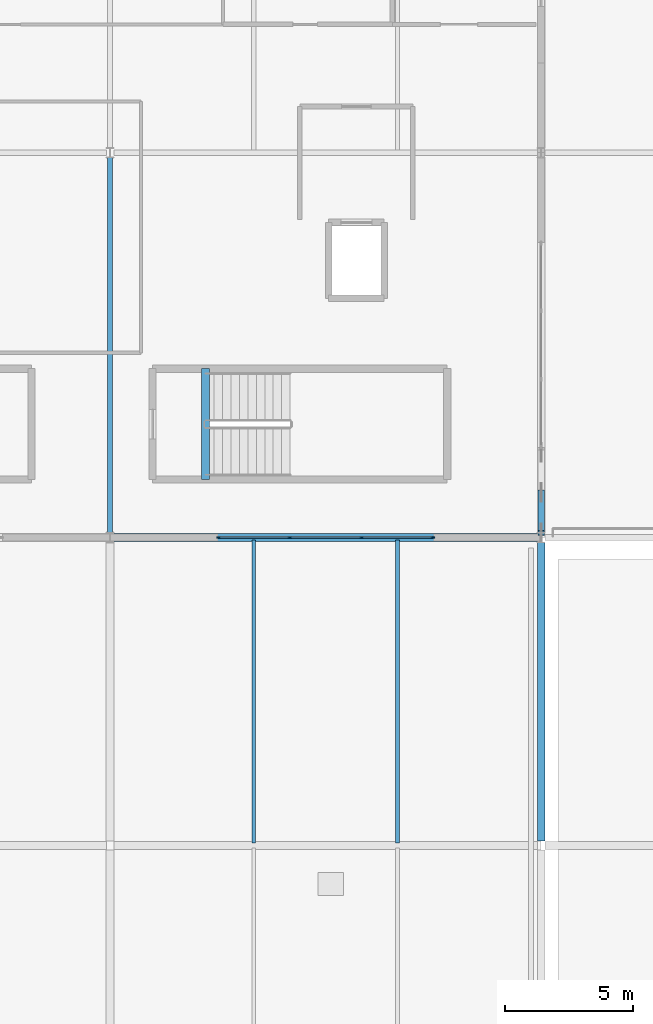
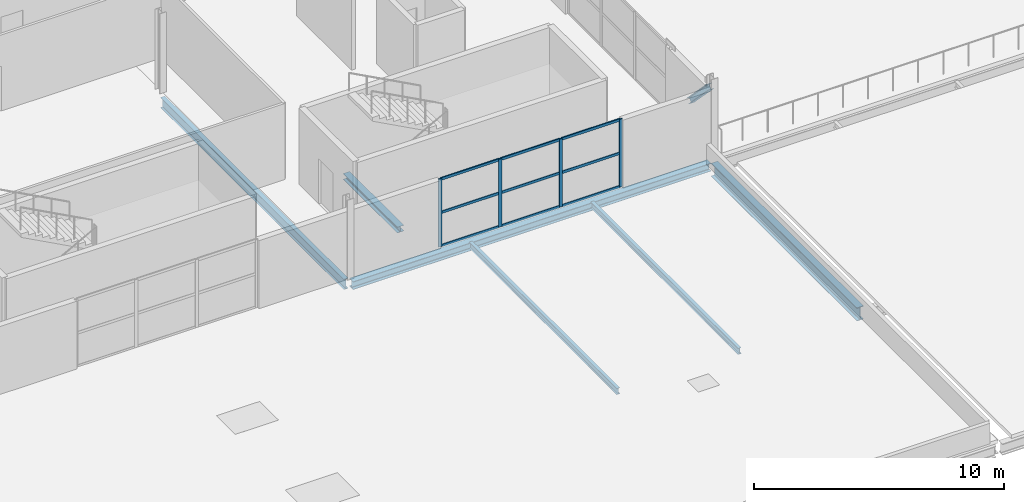
# One storey, part 20 of 36: 14 members, 6 beams, 1 element without a shape of its own.
"""IFC4 building model written with IfcOpenShell, lengths in metres."""

from ifc_helpers import new_model, si_unit, direction, frame, origin, origin_2d, place, context, subcontext, project, spatial, rectangle, i_section, extrude, material, material_profile, profile_set, type_object, element, aggregate, save


model = new_model("IFC4")

# Units and contexts
model_context = context("Model", 3, precision=1e-05, world=origin(), true_north=direction((0.0, 1.0)))
body_context = subcontext(model_context, "Body", "Model", "MODEL_VIEW")
ifc_project = project(units=[si_unit("LENGTHUNIT", "METRE"), si_unit("AREAUNIT", "SQUARE_METRE"), si_unit("VOLUMEUNIT", "CUBIC_METRE"), si_unit("PLANEANGLEUNIT", "RADIAN"), si_unit("MASSUNIT", "GRAM", prefix="KILO")], contexts=[model_context])

# Site, building, storey
site_placement = place(None, origin())
site = spatial("IfcSite", under=ifc_project, at=site_placement, CompositionType="ELEMENT")
building_placement = place(site_placement, origin())
building = spatial("IfcBuilding", under=site, at=building_placement, Name="Kimbaza Rail Terminus", CompositionType="ELEMENT")
storey_placement = place(building_placement, frame((0.0, 0.0, 21.0)))
storey = spatial("IfcBuildingStorey", under=building, at=storey_placement, Name="L04", CompositionType="ELEMENT", Elevation=21.0)

# Curtain wall, members
ifc_material_1 = material(Name="Anodised aluminium framing and solar low-E glazing", Category="aluminium")
curtain_wall_type = type_object("IfcCurtainWallType", Name="ARC-CW-OP2", PredefinedType="USERDEFINED", material=ifc_material_1)
curtain_wall_placement = place(storey_placement, origin())
curtain_wall = element("IfcCurtainWall", 1, at=curtain_wall_placement, inside=storey, type_object=curtain_wall_type, Name="Operations South Curtain Wall L04 Bay 5", ObjectType="STICK CURTAIN WALL", PredefinedType="USERDEFINED")
ifc_material_2 = material(Name="Anodised architectural aluminium", Category="aluminium")
ifc_material_profile_1 = material_profile(ifc_material_2, rectangle(XDim=0.05810546875, YDim=0.14990234375, at=origin_2d()), Name="MULLION 58x150")
ifc_profile_set_1 = profile_set([ifc_material_profile_1], Name="Anodised architectural aluminium")
member_type_1 = type_object("IfcMemberType", Name="ARC-CWM-06", PredefinedType="MULLION", material=ifc_profile_set_1)
member_1_placement = place(storey_placement, frame((126.62890625, 103.0, 0.0), z_axis=(0.0, 0.0, 1.0), x_axis=(0.0, 1.0, 0.0)))
member_1 = element("IfcMember", 2, at=member_1_placement, type_object=member_type_1, Name="CW-06 mullion 1", PredefinedType="MULLION", context=body_context, shape_type="SweptSolid", body=[
    extrude(rectangle(XDim=0.05810546875, YDim=0.14990234375, at=origin_2d()), origin(), (0.0, 0.0, 1.0), 3.31494140625),
])
member_2_placement = place(storey_placement, frame((129.39990234375, 103.0, 0.0), z_axis=(0.0, 0.0, 1.0), x_axis=(0.0, 1.0, 0.0)))
member_2 = element("IfcMember", 3, at=member_2_placement, type_object=member_type_1, Name="CW-06 mullion 2", PredefinedType="MULLION", context=body_context, shape_type="SweptSolid", body=[
    extrude(rectangle(XDim=0.05810546875, YDim=0.14990234375, at=origin_2d()), origin(), (0.0, 0.0, 1.0), 3.31494140625),
])
member_3_placement = place(storey_placement, frame((132.199951171875, 103.0, 0.0), z_axis=(0.0, 0.0, 1.0), x_axis=(0.0, 1.0, 0.0)))
member_3 = element("IfcMember", 4, at=member_3_placement, type_object=member_type_1, Name="CW-06 mullion 3", PredefinedType="MULLION", context=body_context, shape_type="SweptSolid", body=[
    extrude(rectangle(XDim=0.05810546875, YDim=0.14990234375, at=origin_2d()), origin(), (0.0, 0.0, 1.0), 3.31494140625),
])
member_4_placement = place(storey_placement, frame((134.970947265625, 103.0, 0.0), z_axis=(0.0, 0.0, 1.0), x_axis=(0.0, 1.0, 0.0)))
member_4 = element("IfcMember", 5, at=member_4_placement, type_object=member_type_1, Name="CW-06 mullion 4", PredefinedType="MULLION", context=body_context, shape_type="SweptSolid", body=[
    extrude(rectangle(XDim=0.05810546875, YDim=0.14990234375, at=origin_2d()), origin(), (0.0, 0.0, 1.0), 3.31494140625),
])
ifc_material_3 = material(Name="Anodised architectural aluminium", Category="aluminium")
ifc_material_profile_2 = material_profile(ifc_material_3, rectangle(XDim=0.05810546875, YDim=0.125, at=origin_2d()), Name="TRANSOM 58x125")
ifc_profile_set_2 = profile_set([ifc_material_profile_2], Name="Anodised architectural aluminium")
member_type_2 = type_object("IfcMemberType", Name="ARC-CWT-06", PredefinedType="USERDEFINED", material=ifc_profile_set_2)
member_5_placement = place(storey_placement, frame((126.657958984375, 103.0, 0.029052734375), z_axis=(1.0, 0.0, 0.0), x_axis=(0.0, 1.0, 0.0)))
member_5 = element("IfcMember", 6, at=member_5_placement, type_object=member_type_2, Name="CW-06 transom 1.1", ObjectType="TRANSOM", PredefinedType="USERDEFINED", context=body_context, shape_type="SweptSolid", body=[
    extrude(rectangle(XDim=0.05810546875, YDim=0.125, at=origin_2d()), origin(), (0.0, 0.0, 1.0), 2.713134765625),
])
member_6_placement = place(storey_placement, frame((126.657958984375, 103.0, 1.657470703125), z_axis=(1.0, 0.0, 0.0), x_axis=(0.0, 1.0, 0.0)))
member_6 = element("IfcMember", 7, at=member_6_placement, type_object=member_type_2, Name="CW-06 transom 1.2", ObjectType="TRANSOM", PredefinedType="USERDEFINED", context=body_context, shape_type="SweptSolid", body=[
    extrude(rectangle(XDim=0.05810546875, YDim=0.125, at=origin_2d()), origin(), (0.0, 0.0, 1.0), 2.713134765625),
])
member_7_placement = place(storey_placement, frame((126.657958984375, 103.0, 3.285888671875), z_axis=(1.0, 0.0, 0.0), x_axis=(0.0, 1.0, 0.0)))
member_7 = element("IfcMember", 8, at=member_7_placement, type_object=member_type_2, Name="CW-06 transom 1.3", ObjectType="TRANSOM", PredefinedType="USERDEFINED", context=body_context, shape_type="SweptSolid", body=[
    extrude(rectangle(XDim=0.05810546875, YDim=0.125, at=origin_2d()), origin(), (0.0, 0.0, 1.0), 2.713134765625),
])
member_8_placement = place(storey_placement, frame((129.428955078125, 103.0, 0.029052734375), z_axis=(1.0, 0.0, 0.0), x_axis=(0.0, 1.0, 0.0)))
member_8 = element("IfcMember", 9, at=member_8_placement, type_object=member_type_2, Name="CW-06 transom 2.1", ObjectType="TRANSOM", PredefinedType="USERDEFINED", context=body_context, shape_type="SweptSolid", body=[
    extrude(rectangle(XDim=0.05810546875, YDim=0.125, at=origin_2d()), origin(), (0.0, 0.0, 1.0), 2.741943359375),
])
member_9_placement = place(storey_placement, frame((129.428955078125, 103.0, 1.657470703125), z_axis=(1.0, 0.0, 0.0), x_axis=(0.0, 1.0, 0.0)))
member_9 = element("IfcMember", 10, at=member_9_placement, type_object=member_type_2, Name="CW-06 transom 2.2", ObjectType="TRANSOM", PredefinedType="USERDEFINED", context=body_context, shape_type="SweptSolid", body=[
    extrude(rectangle(XDim=0.05810546875, YDim=0.125, at=origin_2d()), origin(), (0.0, 0.0, 1.0), 2.741943359375),
])
member_10_placement = place(storey_placement, frame((129.428955078125, 103.0, 3.285888671875), z_axis=(1.0, 0.0, 0.0), x_axis=(0.0, 1.0, 0.0)))
member_10 = element("IfcMember", 11, at=member_10_placement, type_object=member_type_2, Name="CW-06 transom 2.3", ObjectType="TRANSOM", PredefinedType="USERDEFINED", context=body_context, shape_type="SweptSolid", body=[
    extrude(rectangle(XDim=0.05810546875, YDim=0.125, at=origin_2d()), origin(), (0.0, 0.0, 1.0), 2.741943359375),
])
member_11_placement = place(storey_placement, frame((132.22900390625, 103.0, 0.029052734375), z_axis=(1.0, 0.0, 0.0), x_axis=(0.0, 1.0, 0.0)))
member_11 = element("IfcMember", 12, at=member_11_placement, type_object=member_type_2, Name="CW-06 transom 3.1", ObjectType="TRANSOM", PredefinedType="USERDEFINED", context=body_context, shape_type="SweptSolid", body=[
    extrude(rectangle(XDim=0.05810546875, YDim=0.125, at=origin_2d()), origin(), (0.0, 0.0, 1.0), 2.712890625),
])
member_12_placement = place(storey_placement, frame((132.22900390625, 103.0, 1.657470703125), z_axis=(1.0, 0.0, 0.0), x_axis=(0.0, 1.0, 0.0)))
member_12 = element("IfcMember", 13, at=member_12_placement, type_object=member_type_2, Name="CW-06 transom 3.2", ObjectType="TRANSOM", PredefinedType="USERDEFINED", context=body_context, shape_type="SweptSolid", body=[
    extrude(rectangle(XDim=0.05810546875, YDim=0.125, at=origin_2d()), origin(), (0.0, 0.0, 1.0), 2.712890625),
])
member_13_placement = place(storey_placement, frame((132.22900390625, 103.0, 3.285888671875), z_axis=(1.0, 0.0, 0.0), x_axis=(0.0, 1.0, 0.0)))
member_13 = element("IfcMember", 14, at=member_13_placement, type_object=member_type_2, Name="CW-06 transom 3.3", ObjectType="TRANSOM", PredefinedType="USERDEFINED", context=body_context, shape_type="SweptSolid", body=[
    extrude(rectangle(XDim=0.05810546875, YDim=0.125, at=origin_2d()), origin(), (0.0, 0.0, 1.0), 2.712890625),
])
aggregate(curtain_wall, [member_1, member_2, member_3, member_4, member_5, member_6, member_7, member_8, member_9, member_10, member_11, member_12, member_13])

# Beams
ifc_material_4 = material(Name="Steel S355", Category="steel")
ifc_material_profile_3 = material_profile(ifc_material_4, i_section(OverallWidth=0.300048828125, OverallDepth=0.2900390625, WebThickness=0.008544921875, FlangeThickness=0.013916015625, FilletRadius=0.027099609375, at=origin_2d()), Name="HEA 300")
ifc_profile_set_3 = profile_set([ifc_material_profile_3], Name="Steel S355")
beam_type_1 = type_object("IfcBeamType", Name="STR-BM-HEA300", PredefinedType="SPANDREL", material=ifc_profile_set_3)
beam_1_placement = place(storey_placement, frame((126.1201171875, 105.260009765625, -0.344970703125), z_axis=(0.0, 1.0, 0.0), x_axis=(-1.0, 0.0, 0.0)))
element("IfcBeam", 15, at=beam_1_placement, inside=storey, type_object=beam_type_1, Name="Operations East Exit Stair Landing Trimmer Beam L04", PredefinedType="SPANDREL", context=body_context, shape_type="SweptSolid", body=[
    extrude(i_section(OverallWidth=0.300048828125, OverallDepth=0.2900390625, WebThickness=0.008544921875, FlangeThickness=0.013916015625, FilletRadius=0.027099609375, at=origin_2d()), origin(), (0.0, 0.0, 1.0), 4.320068359375),
])
ifc_material_5 = material(Name="Steel S355", Category="steel")
ifc_material_profile_4 = material_profile(ifc_material_5, i_section(OverallWidth=0.300048828125, OverallDepth=0.389892578125, WebThickness=0.010986328125, FlangeThickness=0.01904296875, FilletRadius=0.027099609375, at=origin_2d()), Name="HEA 400")
ifc_profile_set_4 = profile_set([ifc_material_profile_4], Name="Steel S355")
beam_type_2 = type_object("IfcBeamType", Name="STR-BM-HEA400", PredefinedType="SPANDREL", material=ifc_profile_set_4)
beam_2_placement = place(storey_placement, frame((122.5458984375, 103.0, -0.39501953125), z_axis=(1.0, 0.0, 0.0), x_axis=(0.0, 1.0, 0.0)))
element("IfcBeam", 16, at=beam_2_placement, inside=storey, type_object=beam_type_2, Name="Operations Girder L04 X4-Y0", PredefinedType="SPANDREL", context=body_context, shape_type="SweptSolid", body=[
    extrude(i_section(OverallWidth=0.300048828125, OverallDepth=0.389892578125, WebThickness=0.010986328125, FlangeThickness=0.01904296875, FilletRadius=0.027099609375, at=origin_2d()), origin(), (0.0, 0.0, 1.0), 16.508056640625),
])
ifc_material_6 = material(Name="Steel S355", Category="steel")
ifc_material_profile_5 = material_profile(ifc_material_6, i_section(OverallWidth=0.300048828125, OverallDepth=0.64990234375, WebThickness=0.01611328125, FlangeThickness=0.031005859375, FilletRadius=0.027099609375, at=origin_2d()), Name="HEB 650")
ifc_profile_set_5 = profile_set([ifc_material_profile_5], Name="Steel S355")
beam_type_3 = type_object("IfcBeamType", Name="STR-BM-HEB650", PredefinedType="USERDEFINED", material=ifc_profile_set_5)
beam_3_placement = place(storey_placement, frame((139.199951171875, 91.175048828125, -0.5), z_axis=(0.0, 1.0, 0.0), x_axis=(-1.0, 0.0, 0.0)))
element("IfcBeam", 17, at=beam_3_placement, inside=storey, type_object=beam_type_3, Name="Beam BM-BRGRFY-139-91", ObjectType="GIRDER", PredefinedType="USERDEFINED", context=body_context, shape_type="SweptSolid", body=[
    extrude(i_section(OverallWidth=0.300048828125, OverallDepth=0.64990234375, WebThickness=0.01611328125, FlangeThickness=0.031005859375, FilletRadius=0.027099609375, at=origin_2d()), origin(), (0.0, 0.0, 1.0), 11.64990234375),
])
ifc_material_7 = material(Name="Steel S355", Category="steel")
ifc_material_profile_6 = material_profile(ifc_material_7, i_section(OverallWidth=0.14990234375, OverallDepth=0.300048828125, WebThickness=0.007080078125, FlangeThickness=0.0107421875, FilletRadius=0.014892578125, at=origin_2d()), Name="IPE 300")
ifc_profile_set_6 = profile_set([ifc_material_profile_6], Name="Steel S355")
beam_type_4 = type_object("IfcBeamType", Name="STR-BM-IPE300", PredefinedType="JOIST", material=ifc_profile_set_6)
for number, where, z_axis, x_axis, name in (
    (18, (128.0, 91.10009765625, -0.324951171875), (0.0, 1.0, 0.0), (-1.0, 0.0, 0.0), "Beam JST-BRGRF-L04-3-1-91"),
    (19, (133.60009765625, 91.10009765625, -0.324951171875), (0.0, 1.0, 0.0), (-1.0, 0.0, 0.0), "Beam JST-BRGRF-L04-3-2-91"),
):
    element("IfcBeam", number, at=place(storey_placement, frame(where, z_axis=z_axis, x_axis=x_axis)), inside=storey, type_object=beam_type_4, Name=name, PredefinedType="JOIST", context=body_context, shape_type="SweptSolid", body=[
        extrude(i_section(OverallWidth=0.14990234375, OverallDepth=0.300048828125, WebThickness=0.007080078125, FlangeThickness=0.0107421875, FilletRadius=0.014892578125, at=origin_2d()), origin(), (0.0, 0.0, 1.0), 11.7998046875),
    ])
ifc_material_8 = material(Name="Steel S355", Category="steel")
ifc_material_profile_7 = material_profile(ifc_material_8, i_section(OverallWidth=0.199951171875, OverallDepth=0.5, WebThickness=0.01025390625, FlangeThickness=0.01611328125, FilletRadius=0.02099609375, at=origin_2d()), Name="IPE 500")
ifc_profile_set_7 = profile_set([ifc_material_profile_7], Name="Steel S355")
beam_type_5 = type_object("IfcBeamType", Name="STR-BM-IPE500", PredefinedType="BEAM", material=ifc_profile_set_7)
beam_4_placement = place(storey_placement, frame((122.39990234375, 103.175048828125, -0.449951171875), z_axis=(0.0, 1.0, 0.0), x_axis=(-1.0, 0.0, 0.0)))
element("IfcBeam", 20, at=beam_4_placement, inside=storey, type_object=beam_type_5, Name="Operations Cross Girder L04 X4-Y0", PredefinedType="BEAM", context=body_context, shape_type="SweptSolid", body=[
    extrude(i_section(OverallWidth=0.199951171875, OverallDepth=0.5, WebThickness=0.01025390625, FlangeThickness=0.01611328125, FilletRadius=0.02099609375, at=origin_2d()), origin(), (0.0, 0.0, 1.0), 14.64990234375),
])

# Member
ifc_material_9 = material(Name="Steel S355", Category="steel")
ifc_material_profile_8 = material_profile(ifc_material_9, i_section(OverallWidth=0.260009765625, OverallDepth=0.260009765625, WebThickness=0.010009765625, FlangeThickness=0.017578125, FilletRadius=0.02392578125, at=origin_2d()), Name="HEB 260")
ifc_profile_set_8 = profile_set([ifc_material_profile_8], Name="Steel S355")
member_type_3 = type_object("IfcMemberType", Name="STR-MB-HEB260", PredefinedType="BRACE", material=ifc_profile_set_8)
member_14_placement = place(storey_placement, frame((139.199951171875, 104.75, 1.675048828125), z_axis=(0.0, -0.694847066987, 0.719157530378), x_axis=(1.0, 0.0, 0.0)))
element("IfcMember", 21, at=member_14_placement, inside=storey, type_object=member_type_3, Name="Perimeter X-Brace Split Diagonal 2B", PredefinedType="BRACE", context=body_context, shape_type="SweptSolid", body=[
    extrude(i_section(OverallWidth=0.260009765625, OverallDepth=0.260009765625, WebThickness=0.010009765625, FlangeThickness=0.017578125, FilletRadius=0.02392578125, at=origin_2d()), origin(), (0.0, 0.0, 1.0), 2.259521484375),
])

save(model, "model.ifc")
